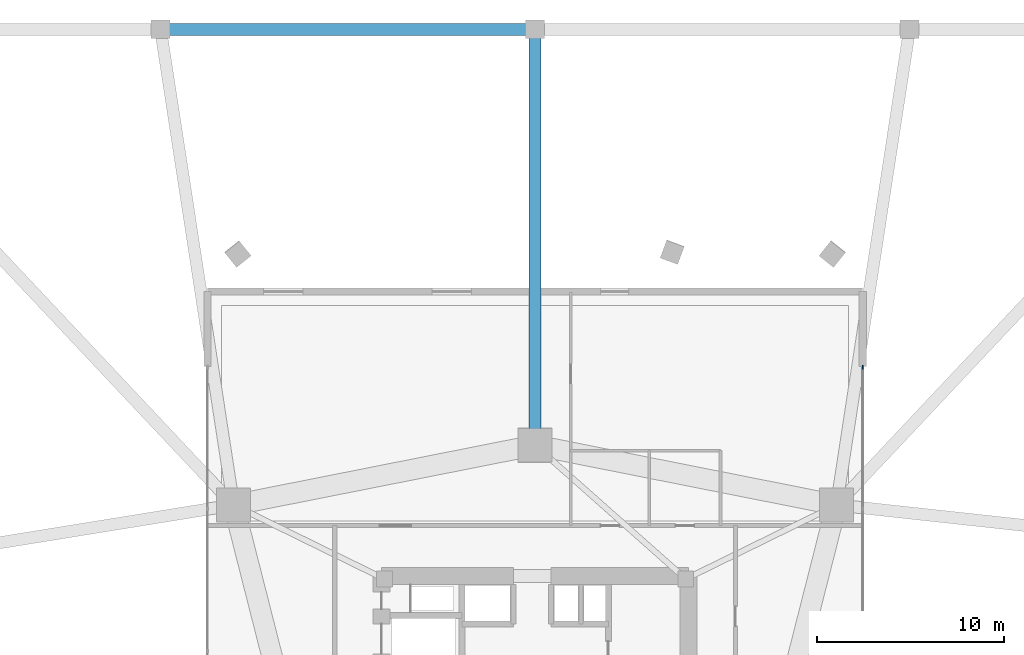
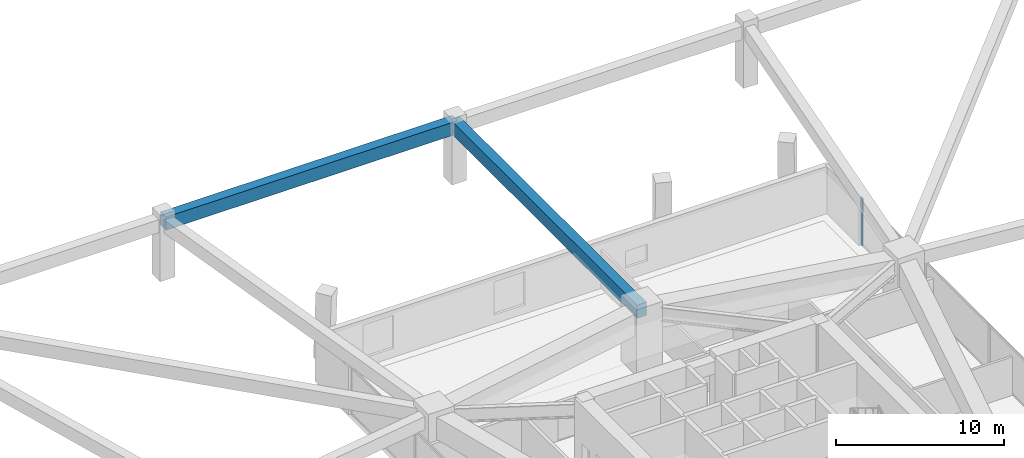
# One storey, part 10 of 15: 2 beams, 1 member, 1 element without a shape of its own.
"""IFC4 building model written with IfcOpenShell, lengths in metres."""

from ifc_helpers import new_model, si_unit, direction, frame, origin, origin_2d, place, context, subcontext, project, spatial, rectangle, extrude, material, layer, layer_set, material_profile, profile_set, type_object, element, aggregate, save


model = new_model("IFC4")

# Units and contexts
model_context = context("Model", 3, precision=1e-05, world=origin(), true_north=direction((0.0, 1.0)))
body_context = subcontext(model_context, "Body", "Model", "MODEL_VIEW")
ifc_project = project(units=[si_unit("LENGTHUNIT", "METRE"), si_unit("AREAUNIT", "SQUARE_METRE"), si_unit("VOLUMEUNIT", "CUBIC_METRE"), si_unit("PLANEANGLEUNIT", "RADIAN"), si_unit("MASSUNIT", "GRAM", prefix="KILO")], contexts=[model_context])

# Site, building, storey
site_placement = place(None, origin())
site = spatial("IfcSite", under=ifc_project, at=site_placement, CompositionType="ELEMENT")
building_placement = place(site_placement, origin())
building = spatial("IfcBuilding", under=site, at=building_placement, Name="Talyreon Biosciences Tower", CompositionType="ELEMENT")
storey_placement = place(building_placement, frame((0.0, 0.0, 5.39990234375)))
storey = spatial("IfcBuildingStorey", under=building, at=storey_placement, Name="L01", CompositionType="ELEMENT", Elevation=5.39990234375)

# Curtain wall, member
ifc_material_1 = material(Name="Thermally broken aluminium and low-E glazing", Category="aluminium")
ifc_layer = layer(ifc_material_1, 0.219970703125)
ifc_layer_set = layer_set([ifc_layer], Name="Thermally broken aluminium and low-E glazing")
curtain_wall_type = type_object("IfcCurtainWallType", Name="CurtainWall_PodiumDoubleHeight", PredefinedType="NOTDEFINED", material=ifc_layer_set)
curtain_wall_placement = place(storey_placement, origin())
curtain_wall = element("IfcCurtainWall", 1, at=curtain_wall_placement, inside=storey, type_object=curtain_wall_type, Name="L01 Unitised Curtain Wall FCW-L01-E", PredefinedType="NOTDEFINED")
ifc_material_2 = material(Name="Anodised thermally broken aluminium", Category="aluminium")
ifc_material_profile_1 = material_profile(ifc_material_2, rectangle(XDim=0.074951171875, YDim=0.2099609375, at=origin_2d()), Name="ALUM MULLION 75x210")
ifc_profile_set_1 = profile_set([ifc_material_profile_1], Name="Anodised thermally broken aluminium")
member_type = type_object("IfcMemberType", Name="CWMullion_75x210", PredefinedType="MULLION", material=ifc_profile_set_1)
member_placement = place(storey_placement, frame((83.5, 85.96240234375, 0.0), z_axis=(0.0, 0.0, 1.0), x_axis=(1.0, 0.0, 0.0)))
member = element("IfcMember", 2, at=member_placement, type_object=member_type, Name="CW1 mullion 1", PredefinedType="MULLION", context=body_context, shape_type="SweptSolid", body=[
    extrude(rectangle(XDim=0.074951171875, YDim=0.2099609375, at=origin_2d()), origin(), (0.0, 0.0, 1.0), 3.43017578125),
])
aggregate(curtain_wall, [member])

# Beams
ifc_material_3 = material(Name="Concrete C50/60", Category="concrete")
ifc_material_profile_2 = material_profile(ifc_material_3, rectangle(XDim=0.64990234375, YDim=0.949951171875, at=origin_2d()), Name="RCB 650x950")
ifc_profile_set_2 = profile_set([ifc_material_profile_2], Name="Concrete C50/60")
beam_type = type_object("IfcBeamType", Name="PodiumGirder_650x950", PredefinedType="T_BEAM", material=ifc_profile_set_2)
beam_1_placement = place(storey_placement, frame((66.0, 104.0, 3.925048828125), z_axis=(-1.0, 0.0, 0.0), x_axis=(0.0, -1.0, 0.0)))
element("IfcBeam", 3, at=beam_1_placement, inside=storey, type_object=beam_type, Name="L01 Podium Perimeter Ring Girder 10", PredefinedType="T_BEAM", context=body_context, shape_type="SweptSolid", body=[
    extrude(rectangle(XDim=0.64990234375, YDim=0.949951171875, at=origin_2d()), origin(), (0.0, 0.0, 1.0), 20.0),
])
beam_2_placement = place(storey_placement, frame((66.0, 81.788818359375, 3.925048828125), z_axis=(0.0, 1.0, 0.0), x_axis=(-1.0, 0.0, 0.0)))
element("IfcBeam", 4, at=beam_2_placement, inside=storey, type_object=beam_type, Name="L01 Podium Radial Tie Girder PDC10", PredefinedType="T_BEAM", context=body_context, shape_type="SweptSolid", body=[
    extrude(rectangle(XDim=0.64990234375, YDim=0.949951171875, at=origin_2d()), origin(), (0.0, 0.0, 1.0), 22.211181640625),
])

save(model, "model.ifc")
